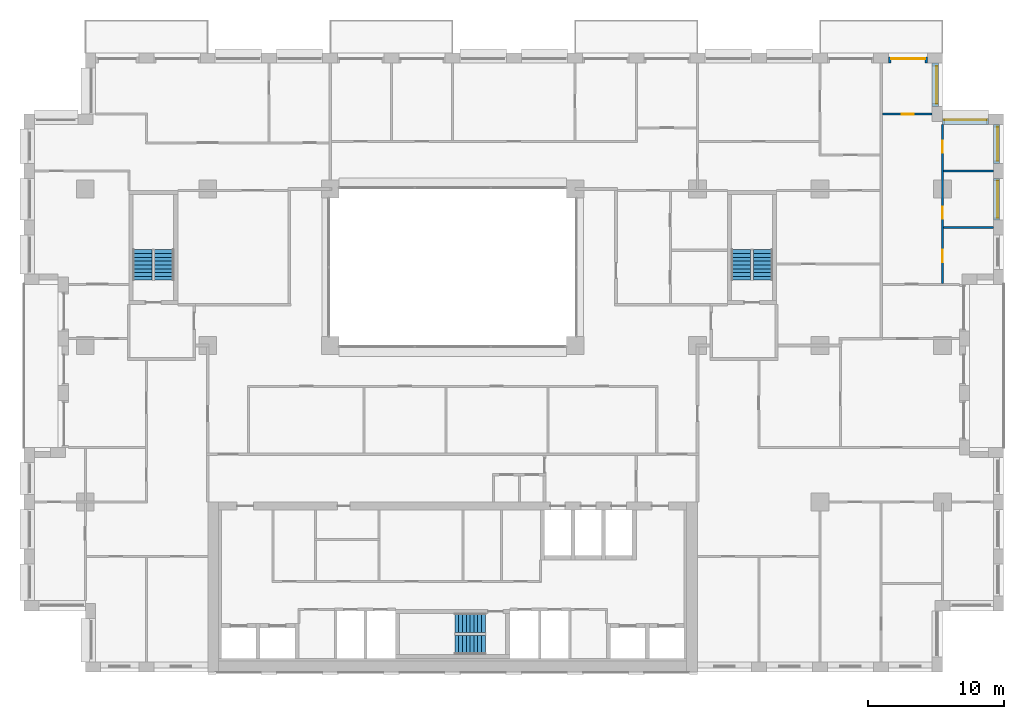
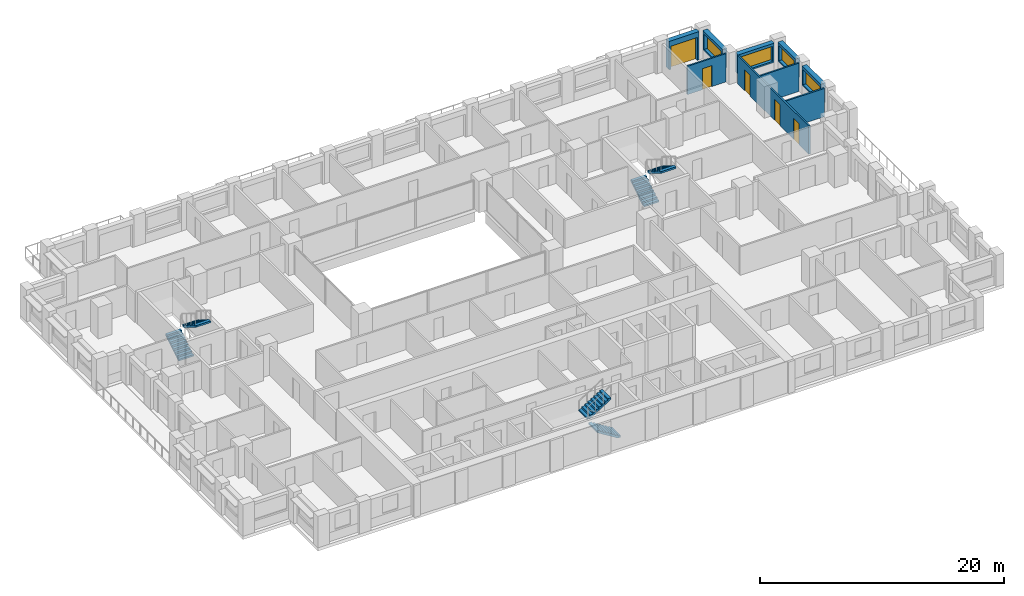
# One storey, part 15 of 16: 9 walls, 6 stair flights, 5 doors, 4 windows, 9 openings, 3 elements without a shape of their own.
"""IFC4 building model written with IfcOpenShell, lengths in metres."""

from ifc_helpers import new_model, si_unit, direction, frame, frame_2d, origin, place, context, subcontext, project, spatial, polyline, rectangle, outline, extrude, material, layer, layer_set, type_object, element, fill, aggregate, save


model = new_model("IFC4")

# Units and contexts
model_context = context("Model", 3, precision=1e-05, world=origin(), true_north=direction((0.0, 1.0)))
body_context = subcontext(model_context, "Body", "Model", "MODEL_VIEW")
ifc_project = project(units=[si_unit("LENGTHUNIT", "METRE"), si_unit("AREAUNIT", "SQUARE_METRE"), si_unit("VOLUMEUNIT", "CUBIC_METRE"), si_unit("PLANEANGLEUNIT", "RADIAN"), si_unit("MASSUNIT", "GRAM", prefix="KILO")], contexts=[model_context])

# Site, building, storey
site_placement = place(None, origin())
site = spatial("IfcSite", under=ifc_project, at=site_placement, CompositionType="ELEMENT")
building_placement = place(site_placement, origin())
building = spatial("IfcBuilding", under=site, at=building_placement, Name="Brigalow Station Residences", CompositionType="ELEMENT")
storey_placement = place(building_placement, frame((0.0, 0.0, 115.050048828125)))
storey = spatial("IfcBuildingStorey", under=building, at=storey_placement, Name="L33", CompositionType="ELEMENT", Elevation=115.050048828125)

# Wall, opening, window
ifc_material_1 = material(Name="Clay brick masonry", Category="masonry")
ifc_layer_1 = layer(ifc_material_1, 0.449951171875)
ifc_layer_set_1 = layer_set([ifc_layer_1], Name="BRICK INFILL WALL 450")
wall_type_1 = type_object("IfcWallType", Name="BRICK INFILL WALL 450", PredefinedType="SOLIDWALL", material=ifc_layer_set_1)
wall_1_placement = place(storey_placement, frame((75.97509765625, 33.217041015625, 0.89990234375), z_axis=(0.0, 0.0, 1.0), x_axis=(0.0, 1.0, 0.0)))
wall_1 = element("IfcWall", 1, at=wall_1_placement, inside=storey, type_object=wall_type_1, Name="L33/ewall/W-L33-19", PredefinedType="SOLIDWALL", context=body_context, shape_type="SweptSolid", body=[
    extrude(rectangle(XDim=3.06591796875, YDim=0.449951171875, at=frame_2d((1.532958984375, 0.0))), origin(), (0.0, 0.0, 1.0), 1.929931640625),
])
opening_1_placement = place(wall_1_placement, frame((0.157958984375, 0.0, 0.14990234375)))
opening_1 = element("IfcOpeningElement", 2, at=opening_1_placement, cuts=wall_1, Name="Opening WT-3", PredefinedType="OPENING", context=body_context, shape_type="SweptSolid", body=[
    extrude(rectangle(XDim=2.75, YDim=1.5, at=frame_2d((1.375, 0.75))), frame((0.0, 0.23486328125, 0.0), z_axis=(0.0, -1.0, 0.0), x_axis=(1.0, 0.0, 0.0)), (0.0, 0.0, 1.0), 0.469970703125),
])
ifc_material_2 = material(Name="Anodised aluminium frame with double glazing", Category="aluminium")
window_type_1 = type_object("IfcWindowType", Name="WINDOW 2750x1500", PartitioningType="SINGLE_PANEL", PredefinedType="WINDOW", material=ifc_material_2)
window_1_placement = place(opening_1_placement, origin())
window_1 = element("IfcWindow", 3, at=window_1_placement, inside=storey, type_object=window_type_1, Name="L33/window/W-L33-19", OverallHeight=1.5, OverallWidth=2.75, PartitioningType="SINGLE_PANEL", PredefinedType="WINDOW", context=body_context, shape_type="SweptSolid", body=[
    extrude(rectangle(XDim=2.75, YDim=1.5, at=frame_2d((1.375, 0.75))), frame((0.0, -0.06494140625, 0.0), z_axis=(0.0, -1.0, 0.0), x_axis=(1.0, 0.0, 0.0)), (0.0, 0.0, 1.0), 0.06005859375),
])
fill(opening_1, window_1)

wall_2_placement = place(storey_placement, frame((75.97509765625, 37.383056640625, 0.89990234375), z_axis=(0.0, 0.0, 1.0), x_axis=(0.0, 1.0, 0.0)))
wall_2 = element("IfcWall", 4, at=wall_2_placement, inside=storey, type_object=wall_type_1, Name="L33/ewall/W-L33-20", PredefinedType="SOLIDWALL", context=body_context, shape_type="SweptSolid", body=[
    extrude(rectangle(XDim=2.866943359375, YDim=0.449951171875, at=frame_2d((1.43359375, 0.0))), origin(), (0.0, 0.0, 1.0), 1.929931640625),
])
opening_2_placement = place(wall_2_placement, frame((0.18359375, 0.0, 0.14990234375)))
opening_2 = element("IfcOpeningElement", 5, at=opening_2_placement, cuts=wall_2, Name="Opening WT-5", PredefinedType="OPENING", context=body_context, shape_type="SweptSolid", body=[
    extrude(rectangle(XDim=2.5, YDim=1.5, at=frame_2d((1.25, 0.75))), frame((0.0, 0.23486328125, 0.0), z_axis=(0.0, -1.0, 0.0), x_axis=(1.0, 0.0, 0.0)), (0.0, 0.0, 1.0), 0.469970703125),
])
ifc_material_3 = material(Name="Anodised aluminium frame with double glazing", Category="aluminium")
window_type_2 = type_object("IfcWindowType", Name="WINDOW 2500x1500", PartitioningType="SINGLE_PANEL", PredefinedType="WINDOW", material=ifc_material_3)
window_2_placement = place(opening_2_placement, origin())
window_2 = element("IfcWindow", 6, at=window_2_placement, inside=storey, type_object=window_type_2, Name="L33/window/W-L33-20", OverallHeight=1.5, OverallWidth=2.5, PartitioningType="SINGLE_PANEL", PredefinedType="WINDOW", context=body_context, shape_type="SweptSolid", body=[
    extrude(rectangle(XDim=2.5, YDim=1.5, at=frame_2d((1.25, 0.75))), frame((0.0, -0.06494140625, 0.0), z_axis=(0.0, -1.0, 0.0), x_axis=(1.0, 0.0, 0.0)), (0.0, 0.0, 1.0), 0.06005859375),
])
fill(opening_2, window_2)

wall_3_placement = place(storey_placement, frame((75.39990234375, 40.47509765625, 0.89990234375), z_axis=(0.0, 0.0, 1.0), x_axis=(-1.0, 0.0, 0.0)))
wall_3 = element("IfcWall", 7, at=wall_3_placement, inside=storey, type_object=wall_type_1, Name="L33/ewall/W-L33-21", PredefinedType="SOLIDWALL", context=body_context, shape_type="SweptSolid", body=[
    extrude(rectangle(XDim=3.39990234375, YDim=0.449951171875, at=frame_2d((1.699951171875, 0.0))), origin(), (0.0, 0.0, 1.0), 1.929931640625),
])
opening_3_placement = place(wall_3_placement, frame((0.14990234375, 0.0, 0.14990234375)))
opening_3 = element("IfcOpeningElement", 8, at=opening_3_placement, cuts=wall_3, Name="Opening WT-8", PredefinedType="OPENING", context=body_context, shape_type="SweptSolid", body=[
    extrude(rectangle(XDim=3.10009765625, YDim=1.5, at=frame_2d((1.550048828125, 0.75))), frame((0.0, 0.23486328125, 0.0), z_axis=(0.0, -1.0, 0.0), x_axis=(1.0, 0.0, 0.0)), (0.0, 0.0, 1.0), 0.469970703125),
])
ifc_material_4 = material(Name="Anodised aluminium frame with double glazing", Category="aluminium")
window_type_3 = type_object("IfcWindowType", Name="WINDOW 3100x1500", PartitioningType="SINGLE_PANEL", PredefinedType="WINDOW", material=ifc_material_4)
window_3_placement = place(opening_3_placement, origin())
window_3 = element("IfcWindow", 9, at=window_3_placement, inside=storey, type_object=window_type_3, Name="L33/window/W-L33-21", OverallHeight=1.5, OverallWidth=3.10009765625, PartitioningType="SINGLE_PANEL", PredefinedType="WINDOW", context=body_context, shape_type="SweptSolid", body=[
    extrude(rectangle(XDim=3.10009765625, YDim=1.5, at=frame_2d((1.550048828125, 0.75))), frame((0.0, -0.06494140625, 0.0), z_axis=(0.0, -1.0, 0.0), x_axis=(1.0, 0.0, 0.0)), (0.0, 0.0, 1.0), 0.06005859375),
])
fill(opening_3, window_3)

wall_4_placement = place(storey_placement, frame((71.47509765625, 41.550048828125, 0.89990234375), z_axis=(0.0, 0.0, 1.0), x_axis=(0.0, 1.0, 0.0)))
wall_4 = element("IfcWall", 10, at=wall_4_placement, inside=storey, type_object=wall_type_1, Name="L33/ewall/W-L33-22", PredefinedType="SOLIDWALL", context=body_context, shape_type="SweptSolid", body=[
    extrude(rectangle(XDim=3.199951171875, YDim=0.449951171875, at=frame_2d((1.60009765625, 0.0))), origin(), (0.0, 0.0, 1.0), 1.929931640625),
])
opening_4_placement = place(wall_4_placement, frame((0.22509765625, 0.0, 0.14990234375)))
opening_4 = element("IfcOpeningElement", 11, at=opening_4_placement, cuts=wall_4, Name="Opening WT-3", PredefinedType="OPENING", context=body_context, shape_type="SweptSolid", body=[
    extrude(rectangle(XDim=2.75, YDim=1.5, at=frame_2d((1.375, 0.75))), frame((0.0, 0.23486328125, 0.0), z_axis=(0.0, -1.0, 0.0), x_axis=(1.0, 0.0, 0.0)), (0.0, 0.0, 1.0), 0.469970703125),
])
window_4_placement = place(opening_4_placement, origin())
window_4 = element("IfcWindow", 12, at=window_4_placement, inside=storey, type_object=window_type_1, Name="L33/window/W-L33-22", OverallHeight=1.5, OverallWidth=2.75, PartitioningType="SINGLE_PANEL", PredefinedType="WINDOW", context=body_context, shape_type="SweptSolid", body=[
    extrude(rectangle(XDim=2.75, YDim=1.5, at=frame_2d((1.375, 0.75))), frame((0.0, -0.06494140625, 0.0), z_axis=(0.0, -1.0, 0.0), x_axis=(1.0, 0.0, 0.0)), (0.0, 0.0, 1.0), 0.06005859375),
])
fill(opening_4, window_4)

# Wall, opening, door
wall_5_placement = place(storey_placement, frame((70.89990234375, 44.97509765625, 0.0), z_axis=(0.0, 0.0, 1.0), x_axis=(-1.0, 0.0, 0.0)))
wall_5 = element("IfcWall", 13, at=wall_5_placement, inside=storey, type_object=wall_type_1, Name="L33/ewall/W-L33-23", PredefinedType="SOLIDWALL", context=body_context, shape_type="SweptSolid", body=[
    extrude(rectangle(XDim=2.849853515625, YDim=0.449951171875, at=frame_2d((1.4248046875, 0.0))), origin(), (0.0, 0.0, 1.0), 2.829833984375),
])
opening_5_placement = place(wall_5_placement, frame((0.175048828125, 0.0, 0.0)))
opening_5 = element("IfcOpeningElement", 14, at=opening_5_placement, cuts=wall_5, Name="Opening D-B2500", PredefinedType="OPENING", context=body_context, shape_type="SweptSolid", body=[
    extrude(rectangle(XDim=2.5, YDim=2.300048828125, at=frame_2d((1.25, 1.14990234375))), frame((0.0, 0.23486328125, 0.0), z_axis=(0.0, -1.0, 0.0), x_axis=(1.0, 0.0, 0.0)), (0.0, 0.0, 1.0), 0.469970703125),
])
ifc_material_5 = material(Name="Anodised aluminium frame with double glazing", Category="aluminium")
door_type_1 = type_object("IfcDoorType", Name="BALCONY SLIDING DOOR 2500x2300", OperationType="SLIDING_TO_LEFT", PredefinedType="DOOR", material=ifc_material_5)
door_1_placement = place(opening_5_placement, origin())
door_1 = element("IfcDoor", 15, at=door_1_placement, inside=storey, type_object=door_type_1, Name="L33/balcony-door/W-L33-23", OperationType="SLIDING_TO_LEFT", OverallHeight=2.300048828125, OverallWidth=2.5, PredefinedType="DOOR", context=body_context, shape_type="SweptSolid", body=[
    extrude(rectangle(XDim=2.5, YDim=2.300048828125, at=frame_2d((1.25, 1.14990234375))), frame((0.0, -0.06982421875, 0.0), z_axis=(0.0, -1.0, 0.0), x_axis=(1.0, 0.0, 0.0)), (0.0, 0.0, 1.0), 0.050048828125),
])
fill(opening_5, door_1)

# Wall
ifc_material_6 = material(Name="Plasterboard on steel stud partition", Category="steel")
ifc_layer_2 = layer(ifc_material_6, 0.14990234375)
ifc_layer_set_2 = layer_set([ifc_layer_2], Name="FLAT PARTITION 150")
wall_type_2 = type_object("IfcWallType", Name="FLAT PARTITION 150", PredefinedType="PARTITIONING", material=ifc_layer_set_2)
wall_6_placement = place(storey_placement, frame((72.074951171875, 36.8330078125, 0.0), z_axis=(0.0, 0.0, 1.0), x_axis=(1.0, 0.0, 0.0)))
element("IfcWall", 16, at=wall_6_placement, inside=storey, type_object=wall_type_2, Name="PW-2D22", PredefinedType="PARTITIONING", context=body_context, shape_type="SweptSolid", body=[
    extrude(rectangle(XDim=3.675048828125, YDim=0.14990234375, at=frame_2d((1.83740234375, 0.0))), origin(), (0.0, 0.0, 1.0), 2.829833984375),
])

# Wall, opening, door
wall_7_placement = place(storey_placement, frame((67.60009765625, 41.0, 0.0), z_axis=(0.0, 0.0, 1.0), x_axis=(1.0, 0.0, 0.0)))
wall_7 = element("IfcWall", 17, at=wall_7_placement, inside=storey, type_object=wall_type_2, Name="PW-2D28", PredefinedType="PARTITIONING", context=body_context, shape_type="SweptSolid", body=[
    extrude(rectangle(XDim=3.64990234375, YDim=0.14990234375, at=frame_2d((1.824951171875, 0.0))), origin(), (0.0, 0.0, 1.0), 2.829833984375),
])
opening_6_placement = place(wall_7_placement, frame((1.39990234375, 0.0, 0.0)))
opening_6 = element("IfcOpeningElement", 18, at=opening_6_placement, cuts=wall_7, Name="Opening D-2D47", PredefinedType="OPENING", context=body_context, shape_type="SweptSolid", body=[
    extrude(rectangle(XDim=0.89990234375, YDim=2.10009765625, at=frame_2d((0.449951171875, 1.050048828125))), frame((0.0, 0.0849609375, 0.0), z_axis=(0.0, -1.0, 0.0), x_axis=(1.0, 0.0, 0.0)), (0.0, 0.0, 1.0), 0.169921875),
])
ifc_material_7 = material(Name="Solid-core timber door leaf", Category="wood")
door_type_2 = type_object("IfcDoorType", Name="INTERNAL DOOR 900 x 2100", OperationType="SINGLE_SWING_LEFT", PredefinedType="DOOR", material=ifc_material_7)
door_2_placement = place(opening_6_placement, origin())
door_2 = element("IfcDoor", 19, at=door_2_placement, inside=storey, type_object=door_type_2, Name="D-2D47", OperationType="SINGLE_SWING_RIGHT", OverallHeight=2.10009765625, OverallWidth=0.89990234375, PredefinedType="DOOR", context=body_context, shape_type="SweptSolid", body=[
    extrude(rectangle(XDim=0.89990234375, YDim=2.10009765625, at=frame_2d((0.449951171875, 1.050048828125))), frame((0.0, 0.02490234375, 0.0), z_axis=(0.0, -1.0, 0.0), x_axis=(1.0, 0.0, 0.0)), (0.0, 0.0, 1.0), 0.050048828125),
])
fill(opening_6, door_2)

# Wall
wall_8_placement = place(storey_placement, frame((72.074951171875, 32.6669921875, 0.0), z_axis=(0.0, 0.0, 1.0), x_axis=(1.0, 0.0, 0.0)))
element("IfcWall", 20, at=wall_8_placement, inside=storey, type_object=wall_type_2, Name="PW-2D36", PredefinedType="PARTITIONING", context=body_context, shape_type="SweptSolid", body=[
    extrude(rectangle(XDim=3.675048828125, YDim=0.14990234375, at=frame_2d((1.83740234375, 0.0))), origin(), (0.0, 0.0, 1.0), 2.829833984375),
])

# Wall, openings, doors
wall_9_placement = place(storey_placement, frame((72.0, 28.574951171875, 0.0), z_axis=(0.0, 0.0, 1.0), x_axis=(0.0, 1.0, 0.0)))
wall_9 = element("IfcWall", 21, at=wall_9_placement, inside=storey, type_object=wall_type_2, Name="PW-2D67", PredefinedType="PARTITIONING", context=body_context, shape_type="SweptSolid", body=[
    extrude(rectangle(XDim=11.675048828125, YDim=0.14990234375, at=frame_2d((5.83740234375, 0.0))), origin(), (0.0, 0.0, 1.0), 2.829833984375),
])
opening_7_placement = place(wall_9_placement, frame((1.55908203125, 0.0, 0.0)))
opening_7 = element("IfcOpeningElement", 22, at=opening_7_placement, cuts=wall_9, Name="Opening D-2D44", PredefinedType="OPENING", context=body_context, shape_type="SweptSolid", body=[
    extrude(rectangle(XDim=0.89990234375, YDim=2.10009765625, at=frame_2d((0.449951171875, 1.050048828125))), frame((0.0, 0.0849609375, 0.0), z_axis=(0.0, -1.0, 0.0), x_axis=(1.0, 0.0, 0.0)), (0.0, 0.0, 1.0), 0.169921875),
])
opening_8_placement = place(wall_9_placement, frame((4.73291015625, 0.0, 0.0)))
opening_8 = element("IfcOpeningElement", 23, at=opening_8_placement, cuts=wall_9, Name="Opening D-2D45", PredefinedType="OPENING", context=body_context, shape_type="SweptSolid", body=[
    extrude(rectangle(XDim=0.89990234375, YDim=2.10009765625, at=frame_2d((0.449951171875, 1.050048828125))), frame((0.0, 0.0849609375, 0.0), z_axis=(0.0, -1.0, 0.0), x_axis=(1.0, 0.0, 0.0)), (0.0, 0.0, 1.0), 0.169921875),
])
opening_9_placement = place(wall_9_placement, frame((9.592041015625, 0.0, 0.0)))
opening_9 = element("IfcOpeningElement", 24, at=opening_9_placement, cuts=wall_9, Name="Opening D-2D46", PredefinedType="OPENING", context=body_context, shape_type="SweptSolid", body=[
    extrude(rectangle(XDim=0.89990234375, YDim=2.10009765625, at=frame_2d((0.449951171875, 1.050048828125))), frame((0.0, 0.0849609375, 0.0), z_axis=(0.0, -1.0, 0.0), x_axis=(1.0, 0.0, 0.0)), (0.0, 0.0, 1.0), 0.169921875),
])
door_3_placement = place(opening_7_placement, frame((0.89990234375, 0.0, 0.0), z_axis=(0.0, 0.0, 1.0), x_axis=(-1.0, 0.0, 0.0)))
door_3 = element("IfcDoor", 25, at=door_3_placement, inside=storey, type_object=door_type_2, Name="D-2D44", OperationType="SINGLE_SWING_LEFT", OverallHeight=2.10009765625, OverallWidth=0.89990234375, PredefinedType="DOOR", context=body_context, shape_type="SweptSolid", body=[
    extrude(rectangle(XDim=0.89990234375, YDim=2.10009765625, at=frame_2d((0.449951171875, 1.050048828125))), frame((0.0, 0.02490234375, 0.0), z_axis=(0.0, -1.0, 0.0), x_axis=(1.0, 0.0, 0.0)), (0.0, 0.0, 1.0), 0.050048828125),
])
fill(opening_7, door_3)
door_4_placement = place(opening_8_placement, frame((0.89990234375, 0.0, 0.0), z_axis=(0.0, 0.0, 1.0), x_axis=(-1.0, 0.0, 0.0)))
door_4 = element("IfcDoor", 26, at=door_4_placement, inside=storey, type_object=door_type_2, Name="D-2D45", OperationType="SINGLE_SWING_RIGHT", OverallHeight=2.10009765625, OverallWidth=0.89990234375, PredefinedType="DOOR", context=body_context, shape_type="SweptSolid", body=[
    extrude(rectangle(XDim=0.89990234375, YDim=2.10009765625, at=frame_2d((0.449951171875, 1.050048828125))), frame((0.0, 0.02490234375, 0.0), z_axis=(0.0, -1.0, 0.0), x_axis=(1.0, 0.0, 0.0)), (0.0, 0.0, 1.0), 0.050048828125),
])
fill(opening_8, door_4)
door_5_placement = place(opening_9_placement, frame((0.89990234375, 0.0, 0.0), z_axis=(0.0, 0.0, 1.0), x_axis=(-1.0, 0.0, 0.0)))
door_5 = element("IfcDoor", 27, at=door_5_placement, inside=storey, type_object=door_type_2, Name="D-2D46", OperationType="SINGLE_SWING_LEFT", OverallHeight=2.10009765625, OverallWidth=0.89990234375, PredefinedType="DOOR", context=body_context, shape_type="SweptSolid", body=[
    extrude(rectangle(XDim=0.89990234375, YDim=2.10009765625, at=frame_2d((0.449951171875, 1.050048828125))), frame((0.0, 0.02490234375, 0.0), z_axis=(0.0, -1.0, 0.0), x_axis=(1.0, 0.0, 0.0)), (0.0, 0.0, 1.0), 0.050048828125),
])
fill(opening_9, door_5)

# Stair, stair flights
ifc_material_8 = material(Name="Concrete C50", Category="concrete")
stair_type = type_object("IfcStairType", Name="EXIT STAIR 1400 2 FLIGHT", PredefinedType="HALF_TURN_STAIR", material=ifc_material_8)
stair_1_placement = place(storey_placement, origin())
stair_1 = element("IfcStair", 28, at=stair_1_placement, inside=storey, type_object=stair_type, Name="EXIT STAIR S2 L33", PredefinedType="HALF_TURN_STAIR")
ifc_material_9 = material(Name="Concrete C50", Category="concrete")
stair_flight_type = type_object("IfcStairFlightType", Name="STAIR FLIGHT 1400", PredefinedType="STRAIGHT", material=ifc_material_9)
stair_flight_1_placement = place(storey_placement, frame((38.39990234375, 2.0, 0.0), z_axis=(0.0, 0.0, 1.0), x_axis=(-1.0, 0.0, 0.0)))
stair_flight_1 = element("IfcStairFlight", 29, at=stair_flight_1_placement, type_object=stair_flight_type, Name="ST-2 flight 1", NumberOfRisers=9, NumberOfTreads=8, PredefinedType="STRAIGHT", RiserHeight=0.175, TreadLength=0.28, context=body_context, shape_type="SweptSolid", body=[
    extrude(outline(polyline([(0.0, 0.0), (0.0, 0.175048828125), (0.280029296875, 0.175048828125), (0.280029296875, 0.35009765625), (0.56005859375, 0.35009765625), (0.56005859375, 0.52490234375), (0.840087890625, 0.52490234375), (0.840087890625, 0.699951171875), (1.1201171875, 0.699951171875), (1.1201171875, 0.875), (1.39990234375, 0.875), (1.39990234375, 1.050048828125), (1.679931640625, 1.050048828125), (1.679931640625, 1.22509765625), (1.9599609375, 1.22509765625), (1.9599609375, 1.39990234375), (2.239990234375, 1.39990234375), (2.239990234375, 1.574951171875), (2.239990234375, 1.22314453125), (0.28271484375, 0.0), (0.0, 0.0)])), frame((0.0, 0.699951171875, 0.0), z_axis=(0.0, -1.0, 0.0), x_axis=(1.0, 0.0, 0.0)), (0.0, 0.0, 1.0), 1.39990234375),
])
stair_flight_2_placement = place(storey_placement, frame((36.159912109375, 3.60009765625, 1.574951171875), z_axis=(0.0, 0.0, 1.0), x_axis=(1.0, 0.0, 0.0)))
stair_flight_2 = element("IfcStairFlight", 30, at=stair_flight_2_placement, type_object=stair_flight_type, Name="ST-2 flight 2", NumberOfRisers=9, NumberOfTreads=8, PredefinedType="STRAIGHT", RiserHeight=0.175, TreadLength=0.28, context=body_context, shape_type="SweptSolid", body=[
    extrude(outline(polyline([(0.0, 0.0), (0.0, 0.175048828125), (0.280029296875, 0.175048828125), (0.280029296875, 0.35009765625), (0.56005859375, 0.35009765625), (0.56005859375, 0.52490234375), (0.840087890625, 0.52490234375), (0.840087890625, 0.699951171875), (1.1201171875, 0.699951171875), (1.1201171875, 0.875), (1.39990234375, 0.875), (1.39990234375, 1.050048828125), (1.679931640625, 1.050048828125), (1.679931640625, 1.22509765625), (1.9599609375, 1.22509765625), (1.9599609375, 1.39990234375), (2.239990234375, 1.39990234375), (2.239990234375, 1.574951171875), (2.239990234375, 1.22314453125), (0.28271484375, 0.0), (0.0, 0.0)])), frame((0.0, 0.699951171875, 0.0), z_axis=(0.0, -1.0, 0.0), x_axis=(1.0, 0.0, 0.0)), (0.0, 0.0, 1.0), 1.39990234375),
])
aggregate(stair_1, [stair_flight_1, stair_flight_2])

stair_2_placement = place(storey_placement, origin())
stair_2 = element("IfcStair", 31, at=stair_2_placement, inside=storey, type_object=stair_type, Name="EXIT STAIR S1 L33", PredefinedType="HALF_TURN_STAIR")
stair_flight_3_placement = place(storey_placement, frame((13.199951171875, 28.800048828125, 0.0), z_axis=(0.0, 0.0, 1.0), x_axis=(0.0, 1.0, 0.0)))
stair_flight_3 = element("IfcStairFlight", 32, at=stair_flight_3_placement, type_object=stair_flight_type, Name="ST-1 flight 1", NumberOfRisers=9, NumberOfTreads=8, PredefinedType="STRAIGHT", RiserHeight=0.175, TreadLength=0.28, context=body_context, shape_type="SweptSolid", body=[
    extrude(outline(polyline([(0.0, 0.0), (0.0, 0.175048828125), (0.280029296875, 0.175048828125), (0.280029296875, 0.35009765625), (0.56005859375, 0.35009765625), (0.56005859375, 0.52490234375), (0.840087890625, 0.52490234375), (0.840087890625, 0.699951171875), (1.1201171875, 0.699951171875), (1.1201171875, 0.875), (1.39990234375, 0.875), (1.39990234375, 1.050048828125), (1.679931640625, 1.050048828125), (1.679931640625, 1.22509765625), (1.9599609375, 1.22509765625), (1.9599609375, 1.39990234375), (2.239990234375, 1.39990234375), (2.239990234375, 1.574951171875), (2.239990234375, 1.22314453125), (0.28271484375, 0.0), (0.0, 0.0)])), frame((0.0, 0.699951171875, 0.0), z_axis=(0.0, -1.0, 0.0), x_axis=(1.0, 0.0, 0.0)), (0.0, 0.0, 1.0), 1.39990234375),
])
stair_flight_4_placement = place(storey_placement, frame((14.800048828125, 31.0400390625, 1.574951171875), z_axis=(0.0, 0.0, 1.0), x_axis=(0.0, -1.0, 0.0)))
stair_flight_4 = element("IfcStairFlight", 33, at=stair_flight_4_placement, type_object=stair_flight_type, Name="ST-1 flight 2", NumberOfRisers=9, NumberOfTreads=8, PredefinedType="STRAIGHT", RiserHeight=0.175, TreadLength=0.28, context=body_context, shape_type="SweptSolid", body=[
    extrude(outline(polyline([(0.0, 0.0), (0.0, 0.175048828125), (0.280029296875, 0.175048828125), (0.280029296875, 0.35009765625), (0.56005859375, 0.35009765625), (0.56005859375, 0.52490234375), (0.840087890625, 0.52490234375), (0.840087890625, 0.699951171875), (1.1201171875, 0.699951171875), (1.1201171875, 0.875), (1.39990234375, 0.875), (1.39990234375, 1.050048828125), (1.679931640625, 1.050048828125), (1.679931640625, 1.22509765625), (1.9599609375, 1.22509765625), (1.9599609375, 1.39990234375), (2.239990234375, 1.39990234375), (2.239990234375, 1.574951171875), (2.239990234375, 1.22314453125), (0.28271484375, 0.0), (0.0, 0.0)])), frame((0.0, 0.699951171875, 0.0), z_axis=(0.0, -1.0, 0.0), x_axis=(1.0, 0.0, 0.0)), (0.0, 0.0, 1.0), 1.39990234375),
])
aggregate(stair_2, [stair_flight_3, stair_flight_4])

stair_3_placement = place(storey_placement, origin())
stair_3 = element("IfcStair", 34, at=stair_3_placement, inside=storey, type_object=stair_type, Name="EXIT STAIR S3 L33", PredefinedType="HALF_TURN_STAIR")
stair_flight_5_placement = place(storey_placement, frame((57.199951171875, 28.800048828125, 0.0), z_axis=(0.0, 0.0, 1.0), x_axis=(0.0, 1.0, 0.0)))
stair_flight_5 = element("IfcStairFlight", 35, at=stair_flight_5_placement, type_object=stair_flight_type, Name="ST-3 flight 1", NumberOfRisers=9, NumberOfTreads=8, PredefinedType="STRAIGHT", RiserHeight=0.175, TreadLength=0.28, context=body_context, shape_type="SweptSolid", body=[
    extrude(outline(polyline([(0.0, 0.0), (0.0, 0.175048828125), (0.280029296875, 0.175048828125), (0.280029296875, 0.35009765625), (0.56005859375, 0.35009765625), (0.56005859375, 0.52490234375), (0.840087890625, 0.52490234375), (0.840087890625, 0.699951171875), (1.1201171875, 0.699951171875), (1.1201171875, 0.875), (1.39990234375, 0.875), (1.39990234375, 1.050048828125), (1.679931640625, 1.050048828125), (1.679931640625, 1.22509765625), (1.9599609375, 1.22509765625), (1.9599609375, 1.39990234375), (2.239990234375, 1.39990234375), (2.239990234375, 1.574951171875), (2.239990234375, 1.22314453125), (0.28271484375, 0.0), (0.0, 0.0)])), frame((0.0, 0.699951171875, 0.0), z_axis=(0.0, -1.0, 0.0), x_axis=(1.0, 0.0, 0.0)), (0.0, 0.0, 1.0), 1.39990234375),
])
stair_flight_6_placement = place(storey_placement, frame((58.800048828125, 31.0400390625, 1.574951171875), z_axis=(0.0, 0.0, 1.0), x_axis=(0.0, -1.0, 0.0)))
stair_flight_6 = element("IfcStairFlight", 36, at=stair_flight_6_placement, type_object=stair_flight_type, Name="ST-3 flight 2", NumberOfRisers=9, NumberOfTreads=8, PredefinedType="STRAIGHT", RiserHeight=0.175, TreadLength=0.28, context=body_context, shape_type="SweptSolid", body=[
    extrude(outline(polyline([(0.0, 0.0), (0.0, 0.175048828125), (0.280029296875, 0.175048828125), (0.280029296875, 0.35009765625), (0.56005859375, 0.35009765625), (0.56005859375, 0.52490234375), (0.840087890625, 0.52490234375), (0.840087890625, 0.699951171875), (1.1201171875, 0.699951171875), (1.1201171875, 0.875), (1.39990234375, 0.875), (1.39990234375, 1.050048828125), (1.679931640625, 1.050048828125), (1.679931640625, 1.22509765625), (1.9599609375, 1.22509765625), (1.9599609375, 1.39990234375), (2.239990234375, 1.39990234375), (2.239990234375, 1.574951171875), (2.239990234375, 1.22314453125), (0.28271484375, 0.0), (0.0, 0.0)])), frame((0.0, 0.699951171875, 0.0), z_axis=(0.0, -1.0, 0.0), x_axis=(1.0, 0.0, 0.0)), (0.0, 0.0, 1.0), 1.39990234375),
])
aggregate(stair_3, [stair_flight_5, stair_flight_6])

save(model, "model.ifc")
